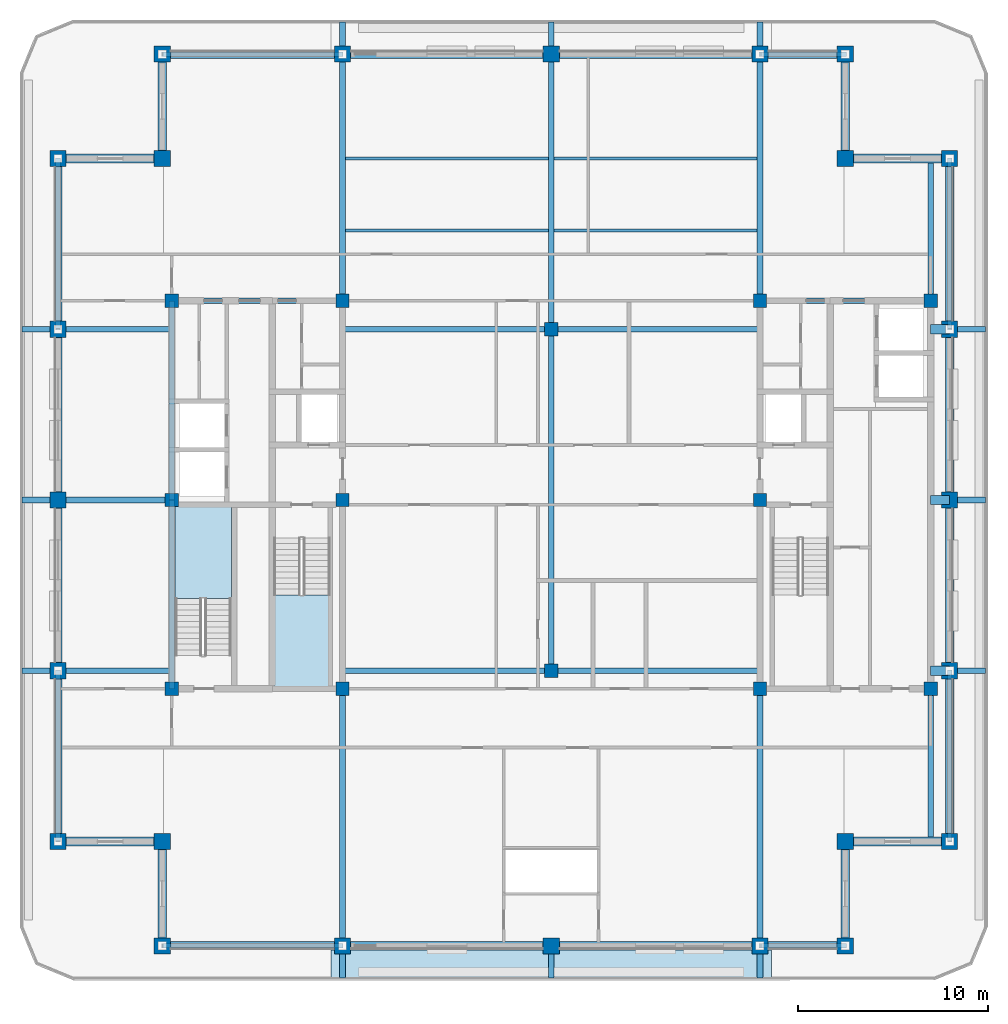
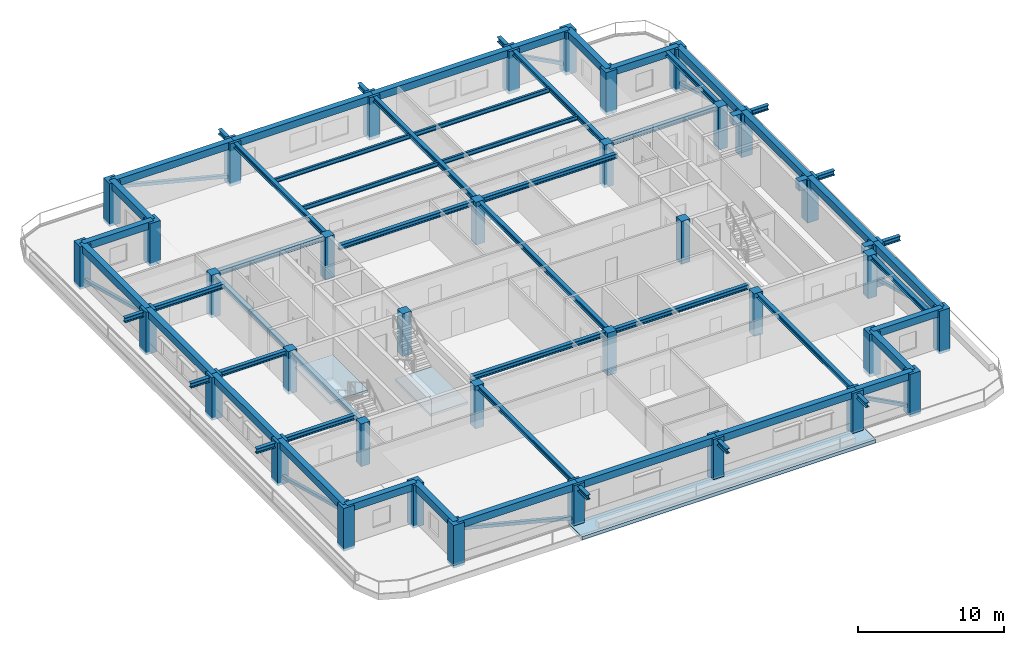
# One storey, part 1 of 11: 62 beams, 37 columns, 8 members, 3 slabs, 2 elements without a shape of their own.
"""IFC4 building model written with IfcOpenShell, lengths in metres."""

from ifc_helpers import new_model, si_unit, direction, frame, origin, origin_2d, place, context, subcontext, project, spatial, polyline, rectangle, hollow_rectangle, i_section, outline, extrude, material, layer, layer_set, material_profile, profile_set, type_object, element, aggregate, save


model = new_model("IFC4")

# Units and contexts
model_context = context("Model", 3, precision=1e-05, world=origin(), true_north=direction((0.0, 1.0)))
body_context = subcontext(model_context, "Body", "Model", "MODEL_VIEW")
ifc_project = project(units=[si_unit("LENGTHUNIT", "METRE"), si_unit("AREAUNIT", "SQUARE_METRE"), si_unit("VOLUMEUNIT", "CUBIC_METRE"), si_unit("PLANEANGLEUNIT", "RADIAN"), si_unit("MASSUNIT", "GRAM", prefix="KILO")], contexts=[model_context])

# Site, building, storey
site_placement = place(None, origin())
site = spatial("IfcSite", under=ifc_project, at=site_placement, CompositionType="ELEMENT")
building_placement = place(site_placement, origin())
building = spatial("IfcBuilding", under=site, at=building_placement, Name="Zulmaris Gate Convention Tower", CompositionType="ELEMENT")
storey_placement = place(building_placement, frame((0.0, 0.0, 274.320068359375)))
storey = spatial("IfcBuildingStorey", under=building, at=storey_placement, Name="L73", CompositionType="ELEMENT", Elevation=274.320068359375)

# Columns
ifc_material_1 = material(Name="Concrete C50/60", Category="concrete")
ifc_material_profile_1 = material_profile(ifc_material_1, rectangle(XDim=0.699951171875, YDim=0.699951171875, at=origin_2d()), Name="RC COL 700x700")
ifc_profile_set_1 = profile_set([ifc_material_profile_1], Name="Concrete C50/60")
column_type_1 = type_object("IfcColumnType", Name="COL-RC700", PredefinedType="COLUMN", material=ifc_profile_set_1)
for number, where, z_axis, x_axis, name in (
    (1, (-20.0, -9.949951171875, -0.25), (0.0, 0.0, 1.0), (1.0, 0.0, 0.0), "L73 Column IN--20.00_-9.95"),
    (2, (-20.0, 10.5, -0.25), (0.0, 0.0, 1.0), (1.0, 0.0, 0.0), "L73 Column IN--20.00_+10.50"),
    (3, (-11.0, -9.949951171875, -0.25), (0.0, 0.0, 1.0), (1.0, 0.0, 0.0), "L73 Column IN--11.00_-9.95"),
    (4, (-11.0, 0.0, -0.25), (0.0, 0.0, 1.0), (1.0, 0.0, 0.0), "L73 Column IN--11.00_+0.00"),
    (5, (-11.0, 10.5, -0.25), (0.0, 0.0, 1.0), (1.0, 0.0, 0.0), "L73 Column IN--11.00_+10.50"),
    (6, (11.0, -9.949951171875, -0.25), (0.0, 0.0, 1.0), (1.0, 0.0, 0.0), "L73 Column IN-+11.00_-9.95"),
    (7, (11.0, 0.0, -0.25), (0.0, 0.0, 1.0), (1.0, 0.0, 0.0), "L73 Column IN-+11.00_+0.00"),
    (8, (11.0, 10.5, -0.25), (0.0, 0.0, 1.0), (1.0, 0.0, 0.0), "L73 Column IN-+11.00_+10.50"),
    (9, (20.0, -9.949951171875, -0.25), (0.0, 0.0, 1.0), (1.0, 0.0, 0.0), "L73 Column IN-+20.00_-9.95"),
    (10, (20.0, 10.5, -0.25), (0.0, 0.0, 1.0), (1.0, 0.0, 0.0), "L73 Column IN-+20.00_+10.50"),
    (11, (0.0, -9.0, -0.25), (0.0, 0.0, 1.0), (1.0, 0.0, 0.0), "L73 Column IN-+0.00_-9.00"),
    (12, (0.0, 9.0, -0.25), (0.0, 0.0, 1.0), (1.0, 0.0, 0.0), "L73 Column IN-+0.00_+9.00"),
    (13, (-20.0, 0.0, -0.25), (0.0, 0.0, 1.0), (1.0, 0.0, 0.0), "L73 Column IN--20.00_+0.00"),
):
    element("IfcColumn", number, at=place(storey_placement, frame(where, z_axis=z_axis, x_axis=x_axis)), inside=storey, type_object=column_type_1, Name=name, PredefinedType="COLUMN", context=body_context, shape_type="SweptSolid", body=[
        extrude(rectangle(XDim=0.699951171875, YDim=0.699951171875, at=origin_2d()), origin(), (0.0, 0.0, 1.0), 3.56494140625),
    ])
ifc_material_2 = material(Name="Concrete C60/75", Category="concrete")
ifc_material_profile_2 = material_profile(ifc_material_2, rectangle(XDim=0.85009765625, YDim=0.85009765625, at=origin_2d()), Name="RC COL 850x850")
ifc_profile_set_2 = profile_set([ifc_material_profile_2], Name="Concrete C60/75")
column_type_2 = type_object("IfcColumnType", Name="COL-RC850", PredefinedType="COLUMN", material=ifc_profile_set_2)
for number, where, z_axis, x_axis, name in (
    (14, (-20.5, -23.5, -0.25), (0.0, 0.0, 1.0), (1.0, 0.0, 0.0), "L73 Column PT--20.50_-23.50"),
    (15, (-11.0, -23.5, -0.25), (0.0, 0.0, 1.0), (1.0, 0.0, 0.0), "L73 Column PT--11.00_-23.50"),
    (16, (0.0, -23.5, -0.25), (0.0, 0.0, 1.0), (1.0, 0.0, 0.0), "L73 Column PT-+0.00_-23.50"),
    (17, (11.0, -23.5, -0.25), (0.0, 0.0, 1.0), (1.0, 0.0, 0.0), "L73 Column PT-+11.00_-23.50"),
    (18, (15.5, -23.5, -0.25), (0.0, 0.0, 1.0), (1.0, 0.0, 0.0), "L73 Column PT-+15.50_-23.50"),
    (19, (-20.5, 23.5, -0.25), (0.0, 0.0, 1.0), (1.0, 0.0, 0.0), "L73 Column PT--20.50_+23.50"),
    (20, (-11.0, 23.5, -0.25), (0.0, 0.0, 1.0), (1.0, 0.0, 0.0), "L73 Column PT--11.00_+23.50"),
    (21, (0.0, 23.5, -0.25), (0.0, 0.0, 1.0), (1.0, 0.0, 0.0), "L73 Column PT-+0.00_+23.50"),
    (22, (11.0, 23.5, -0.25), (0.0, 0.0, 1.0), (1.0, 0.0, 0.0), "L73 Column PT-+11.00_+23.50"),
    (23, (15.5, 23.5, -0.25), (0.0, 0.0, 1.0), (1.0, 0.0, 0.0), "L73 Column PT-+15.50_+23.50"),
    (24, (-26.0, -18.0, -0.25), (0.0, 0.0, 1.0), (1.0, 0.0, 0.0), "L73 Column PT--26.00_-18.00"),
    (25, (-26.0, -9.0, -0.25), (0.0, 0.0, 1.0), (1.0, 0.0, 0.0), "L73 Column PT--26.00_-9.00"),
    (26, (-26.0, 0.0, -0.25), (0.0, 0.0, 1.0), (1.0, 0.0, 0.0), "L73 Column PT--26.00_+0.00"),
    (27, (-26.0, 9.0, -0.25), (0.0, 0.0, 1.0), (1.0, 0.0, 0.0), "L73 Column PT--26.00_+9.00"),
    (28, (-26.0, 18.0, -0.25), (0.0, 0.0, 1.0), (1.0, 0.0, 0.0), "L73 Column PT--26.00_+18.00"),
    (29, (21.0, -18.0, -0.25), (0.0, 0.0, 1.0), (1.0, 0.0, 0.0), "L73 Column PT-+21.00_-18.00"),
    (30, (21.0, -9.0, -0.25), (0.0, 0.0, 1.0), (1.0, 0.0, 0.0), "L73 Column PT-+21.00_-9.00"),
    (31, (21.0, 0.0, -0.25), (0.0, 0.0, 1.0), (1.0, 0.0, 0.0), "L73 Column PT-+21.00_+0.00"),
    (32, (21.0, 9.0, -0.25), (0.0, 0.0, 1.0), (1.0, 0.0, 0.0), "L73 Column PT-+21.00_+9.00"),
    (33, (21.0, 18.0, -0.25), (0.0, 0.0, 1.0), (1.0, 0.0, 0.0), "L73 Column PT-+21.00_+18.00"),
    (34, (-20.5, -18.0, -0.25), (0.0, 0.0, 1.0), (1.0, 0.0, 0.0), "L73 Column PT--20.50_-18.00"),
    (35, (15.5, -18.0, -0.25), (0.0, 0.0, 1.0), (1.0, 0.0, 0.0), "L73 Column PT-+15.50_-18.00"),
    (36, (15.5, 18.0, -0.25), (0.0, 0.0, 1.0), (1.0, 0.0, 0.0), "L73 Column PT-+15.50_+18.00"),
    (37, (-20.5, 18.0, -0.25), (0.0, 0.0, 1.0), (1.0, 0.0, 0.0), "L73 Column PT--20.50_+18.00"),
):
    element("IfcColumn", number, at=place(storey_placement, frame(where, z_axis=z_axis, x_axis=x_axis)), inside=storey, type_object=column_type_2, Name=name, PredefinedType="COLUMN", context=body_context, shape_type="SweptSolid", body=[
        extrude(rectangle(XDim=0.85009765625, YDim=0.85009765625, at=origin_2d()), origin(), (0.0, 0.0, 1.0), 3.56494140625),
    ])

# Beams
ifc_material_3 = material(Name="Steel S355", Category="steel")
ifc_material_profile_3 = material_profile(ifc_material_3, i_section(OverallWidth=0.300048828125, OverallDepth=0.39990234375, WebThickness=0.013427734375, FlangeThickness=0.02392578125, FilletRadius=0.027099609375, at=origin_2d()), Name="HEB 400")
ifc_profile_set_3 = profile_set([ifc_material_profile_3], Name="Steel S355")
beam_type_1 = type_object("IfcBeamType", Name="BM-HEB400", PredefinedType="BEAM", material=ifc_profile_set_3)
for number, where, z_axis, x_axis, name in (
    (38, (-11.0, -25.199951171875, 2.97509765625), (0.0, 1.0, 0.0), (-1.0, 0.0, 0.0), "L73 Beam TBRK-L73-S--11"),
    (39, (-11.0, 23.5, 2.97509765625), (0.0, 1.0, 0.0), (-1.0, 0.0, 0.0), "L73 Beam TBRK-L73-N--11"),
    (40, (0.0, -25.199951171875, 2.97509765625), (0.0, 1.0, 0.0), (-1.0, 0.0, 0.0), "L73 Beam TBRK-L73-S-+0"),
    (41, (0.0, 23.5, 2.97509765625), (0.0, 1.0, 0.0), (-1.0, 0.0, 0.0), "L73 Beam TBRK-L73-N-+0"),
    (42, (11.0, -25.199951171875, 2.97509765625), (0.0, 1.0, 0.0), (-1.0, 0.0, 0.0), "L73 Beam TBRK-L73-S-+11"),
    (43, (11.0, 23.5, 2.97509765625), (0.0, 1.0, 0.0), (-1.0, 0.0, 0.0), "L73 Beam TBRK-L73-N-+11"),
):
    element("IfcBeam", number, at=place(storey_placement, frame(where, z_axis=z_axis, x_axis=x_axis)), inside=storey, type_object=beam_type_1, Name=name, PredefinedType="BEAM", context=body_context, shape_type="SweptSolid", body=[
        extrude(i_section(OverallWidth=0.300048828125, OverallDepth=0.39990234375, WebThickness=0.013427734375, FlangeThickness=0.02392578125, FilletRadius=0.027099609375, at=origin_2d()), origin(), (0.0, 0.0, 1.0), 1.699951171875),
    ])
for number, where, z_axis, x_axis, name in (
    (44, (-27.89990234375, -9.0, 2.97509765625), (1.0, 0.0, 0.0), (0.0, 1.0, 0.0), "L73 Beam TBRK-L73-W--9"),
    (45, (21.0, -9.0, 2.97509765625), (1.0, 0.0, 0.0), (0.0, 1.0, 0.0), "L73 Beam TBRK-L73-E--9"),
    (46, (-27.89990234375, 0.0, 2.97509765625), (1.0, 0.0, 0.0), (0.0, 1.0, 0.0), "L73 Beam TBRK-L73-W-+0"),
    (47, (21.0, 0.0, 2.97509765625), (1.0, 0.0, 0.0), (0.0, 1.0, 0.0), "L73 Beam TBRK-L73-E-+0"),
    (48, (-27.89990234375, 9.0, 2.97509765625), (1.0, 0.0, 0.0), (0.0, 1.0, 0.0), "L73 Beam TBRK-L73-W-+9"),
    (49, (21.0, 9.0, 2.97509765625), (1.0, 0.0, 0.0), (0.0, 1.0, 0.0), "L73 Beam TBRK-L73-E-+9"),
):
    element("IfcBeam", number, at=place(storey_placement, frame(where, z_axis=z_axis, x_axis=x_axis)), inside=storey, type_object=beam_type_1, Name=name, PredefinedType="BEAM", context=body_context, shape_type="SweptSolid", body=[
        extrude(i_section(OverallWidth=0.300048828125, OverallDepth=0.39990234375, WebThickness=0.013427734375, FlangeThickness=0.02392578125, FilletRadius=0.027099609375, at=origin_2d()), origin(), (0.0, 0.0, 1.0), 1.89990234375),
    ])
for number, where, z_axis, x_axis, name in (
    (50, (-11.0, -9.0, 3.113037109375), (1.0, 0.0, 0.0), (0.0, 1.0, 0.0), "L73 Beam BM-L73-G01"),
    (51, (0.0, -9.0, 3.113037109375), (1.0, 0.0, 0.0), (0.0, 1.0, 0.0), "L73 Beam BM-L73-G02"),
    (52, (-11.0, 9.0, 3.113037109375), (1.0, 0.0, 0.0), (0.0, 1.0, 0.0), "L73 Beam BM-L73-G03"),
    (53, (0.0, 9.0, 3.113037109375), (1.0, 0.0, 0.0), (0.0, 1.0, 0.0), "L73 Beam BM-L73-G04"),
):
    element("IfcBeam", number, at=place(storey_placement, frame(where, z_axis=z_axis, x_axis=x_axis)), inside=storey, type_object=beam_type_1, Name=name, PredefinedType="BEAM", context=body_context, shape_type="SweptSolid", body=[
        extrude(i_section(OverallWidth=0.300048828125, OverallDepth=0.39990234375, WebThickness=0.013427734375, FlangeThickness=0.02392578125, FilletRadius=0.027099609375, at=origin_2d()), origin(), (0.0, 0.0, 1.0), 11.0),
    ])
beam_1_placement = place(storey_placement, frame((0.0, -9.0, 3.113037109375), z_axis=(0.0, 1.0, 0.0), x_axis=(-1.0, 0.0, 0.0)))
element("IfcBeam", 54, at=beam_1_placement, inside=storey, type_object=beam_type_1, Name="L73 Beam BM-L73-G06", PredefinedType="BEAM", context=body_context, shape_type="SweptSolid", body=[
    extrude(i_section(OverallWidth=0.300048828125, OverallDepth=0.39990234375, WebThickness=0.013427734375, FlangeThickness=0.02392578125, FilletRadius=0.027099609375, at=origin_2d()), origin(), (0.0, 0.0, 1.0), 18.0),
])
beam_2_placement = place(storey_placement, frame((0.0, 9.0, 3.113037109375), z_axis=(0.0, 1.0, 0.0), x_axis=(-1.0, 0.0, 0.0)))
element("IfcBeam", 55, at=beam_2_placement, inside=storey, type_object=beam_type_1, Name="L73 Beam BM-L73-G07", PredefinedType="BEAM", context=body_context, shape_type="SweptSolid", body=[
    extrude(i_section(OverallWidth=0.300048828125, OverallDepth=0.39990234375, WebThickness=0.013427734375, FlangeThickness=0.02392578125, FilletRadius=0.027099609375, at=origin_2d()), origin(), (0.0, 0.0, 1.0), 14.5),
])
beam_3_placement = place(storey_placement, frame((-11.0, -23.5, 3.113037109375), z_axis=(0.0, 1.0, 0.0), x_axis=(-1.0, 0.0, 0.0)))
element("IfcBeam", 56, at=beam_3_placement, inside=storey, type_object=beam_type_1, Name="L73 Beam BM-L73-G08", PredefinedType="BEAM", context=body_context, shape_type="SweptSolid", body=[
    extrude(i_section(OverallWidth=0.300048828125, OverallDepth=0.39990234375, WebThickness=0.013427734375, FlangeThickness=0.02392578125, FilletRadius=0.027099609375, at=origin_2d()), origin(), (0.0, 0.0, 1.0), 13.550048828125),
])
beam_4_placement = place(storey_placement, frame((-11.0, 10.5, 3.113037109375), z_axis=(0.0, 1.0, 0.0), x_axis=(-1.0, 0.0, 0.0)))
element("IfcBeam", 57, at=beam_4_placement, inside=storey, type_object=beam_type_1, Name="L73 Beam BM-L73-G09", PredefinedType="BEAM", context=body_context, shape_type="SweptSolid", body=[
    extrude(i_section(OverallWidth=0.300048828125, OverallDepth=0.39990234375, WebThickness=0.013427734375, FlangeThickness=0.02392578125, FilletRadius=0.027099609375, at=origin_2d()), origin(), (0.0, 0.0, 1.0), 13.0),
])
beam_5_placement = place(storey_placement, frame((11.0, -23.5, 3.113037109375), z_axis=(0.0, 1.0, 0.0), x_axis=(-1.0, 0.0, 0.0)))
element("IfcBeam", 58, at=beam_5_placement, inside=storey, type_object=beam_type_1, Name="L73 Beam BM-L73-G10", PredefinedType="BEAM", context=body_context, shape_type="SweptSolid", body=[
    extrude(i_section(OverallWidth=0.300048828125, OverallDepth=0.39990234375, WebThickness=0.013427734375, FlangeThickness=0.02392578125, FilletRadius=0.027099609375, at=origin_2d()), origin(), (0.0, 0.0, 1.0), 13.550048828125),
])
beam_6_placement = place(storey_placement, frame((11.0, 10.5, 3.113037109375), z_axis=(0.0, 1.0, 0.0), x_axis=(-1.0, 0.0, 0.0)))
element("IfcBeam", 59, at=beam_6_placement, inside=storey, type_object=beam_type_1, Name="L73 Beam BM-L73-G11", PredefinedType="BEAM", context=body_context, shape_type="SweptSolid", body=[
    extrude(i_section(OverallWidth=0.300048828125, OverallDepth=0.39990234375, WebThickness=0.013427734375, FlangeThickness=0.02392578125, FilletRadius=0.027099609375, at=origin_2d()), origin(), (0.0, 0.0, 1.0), 13.0),
])
beam_7_placement = place(storey_placement, frame((20.0, -18.0, 3.113037109375), z_axis=(0.0, 1.0, 0.0), x_axis=(-1.0, 0.0, 0.0)))
element("IfcBeam", 60, at=beam_7_placement, inside=storey, type_object=beam_type_1, Name="L73 Beam BM-L73-G14", PredefinedType="BEAM", context=body_context, shape_type="SweptSolid", body=[
    extrude(i_section(OverallWidth=0.300048828125, OverallDepth=0.39990234375, WebThickness=0.013427734375, FlangeThickness=0.02392578125, FilletRadius=0.027099609375, at=origin_2d()), origin(), (0.0, 0.0, 1.0), 8.050048828125),
])
beam_8_placement = place(storey_placement, frame((20.0, 10.5, 3.113037109375), z_axis=(0.0, 1.0, 0.0), x_axis=(-1.0, 0.0, 0.0)))
element("IfcBeam", 61, at=beam_8_placement, inside=storey, type_object=beam_type_1, Name="L73 Beam BM-L73-G15", PredefinedType="BEAM", context=body_context, shape_type="SweptSolid", body=[
    extrude(i_section(OverallWidth=0.300048828125, OverallDepth=0.39990234375, WebThickness=0.013427734375, FlangeThickness=0.02392578125, FilletRadius=0.027099609375, at=origin_2d()), origin(), (0.0, 0.0, 1.0), 7.5),
])
for number, where, z_axis, x_axis, name in (
    (62, (-26.0, -9.0, 3.113037109375), (1.0, 0.0, 0.0), (0.0, 1.0, 0.0), "L73 Beam BM-L73-G16"),
    (63, (-26.0, 0.0, 3.113037109375), (1.0, 0.0, 0.0), (0.0, 1.0, 0.0), "L73 Beam BM-L73-G17"),
    (64, (-26.0, 9.0, 3.113037109375), (1.0, 0.0, 0.0), (0.0, 1.0, 0.0), "L73 Beam BM-L73-G18"),
):
    element("IfcBeam", number, at=place(storey_placement, frame(where, z_axis=z_axis, x_axis=x_axis)), inside=storey, type_object=beam_type_1, Name=name, PredefinedType="BEAM", context=body_context, shape_type="SweptSolid", body=[
        extrude(i_section(OverallWidth=0.300048828125, OverallDepth=0.39990234375, WebThickness=0.013427734375, FlangeThickness=0.02392578125, FilletRadius=0.027099609375, at=origin_2d()), origin(), (0.0, 0.0, 1.0), 6.0),
    ])
for number, where, z_axis, x_axis, name in (
    (65, (-20.0, 10.5, 3.113037109375), (1.0, 0.0, 0.0), (0.0, 1.0, 0.0), "L73 Beam BM-L73-G23"),
    (66, (11.0, 10.5, 3.113037109375), (1.0, 0.0, 0.0), (0.0, 1.0, 0.0), "L73 Beam BM-L73-G25"),
):
    element("IfcBeam", number, at=place(storey_placement, frame(where, z_axis=z_axis, x_axis=x_axis)), inside=storey, type_object=beam_type_1, Name=name, PredefinedType="BEAM", context=body_context, shape_type="SweptSolid", body=[
        extrude(i_section(OverallWidth=0.300048828125, OverallDepth=0.39990234375, WebThickness=0.013427734375, FlangeThickness=0.02392578125, FilletRadius=0.027099609375, at=origin_2d()), origin(), (0.0, 0.0, 1.0), 9.0),
    ])
beam_9_placement = place(storey_placement, frame((-20.0, -9.949951171875, 3.113037109375), z_axis=(0.0, 1.0, 0.0), x_axis=(-1.0, 0.0, 0.0)))
element("IfcBeam", 67, at=beam_9_placement, inside=storey, type_object=beam_type_1, Name="L73 Beam BM-L73-G26", PredefinedType="BEAM", context=body_context, shape_type="SweptSolid", body=[
    extrude(i_section(OverallWidth=0.300048828125, OverallDepth=0.39990234375, WebThickness=0.013427734375, FlangeThickness=0.02392578125, FilletRadius=0.027099609375, at=origin_2d()), origin(), (0.0, 0.0, 1.0), 9.949951171875),
])
beam_10_placement = place(storey_placement, frame((-20.0, 0.0, 3.113037109375), z_axis=(0.0, 1.0, 0.0), x_axis=(-1.0, 0.0, 0.0)))
element("IfcBeam", 68, at=beam_10_placement, inside=storey, type_object=beam_type_1, Name="L73 Beam BM-L73-G27", PredefinedType="BEAM", context=body_context, shape_type="SweptSolid", body=[
    extrude(i_section(OverallWidth=0.300048828125, OverallDepth=0.39990234375, WebThickness=0.013427734375, FlangeThickness=0.02392578125, FilletRadius=0.027099609375, at=origin_2d()), origin(), (0.0, 0.0, 1.0), 10.5),
])
ifc_material_profile_4 = material_profile(ifc_material_1, rectangle(XDim=0.5, YDim=0.800048828125, at=origin_2d()), Name="RC BEAM 500x800")
ifc_profile_set_4 = profile_set([ifc_material_profile_4], Name="Concrete C50/60")
beam_type_2 = type_object("IfcBeamType", Name="BM-RC500x800", PredefinedType="BEAM", material=ifc_profile_set_4)
for number, where, z_axis, x_axis, name in (
    (69, (20.0, -9.0, 2.9150390625), (1.0, 0.0, 0.0), (0.0, 1.0, 0.0), "L73 Beam BM-L73-G19"),
    (70, (20.0, 0.0, 2.9150390625), (1.0, 0.0, 0.0), (0.0, 1.0, 0.0), "L73 Beam BM-L73-G20"),
    (71, (20.0, 9.0, 2.9150390625), (1.0, 0.0, 0.0), (0.0, 1.0, 0.0), "L73 Beam BM-L73-G21"),
):
    element("IfcBeam", number, at=place(storey_placement, frame(where, z_axis=z_axis, x_axis=x_axis)), inside=storey, type_object=beam_type_2, Name=name, PredefinedType="BEAM", context=body_context, shape_type="SweptSolid", body=[
        extrude(rectangle(XDim=0.5, YDim=0.800048828125, at=origin_2d()), origin(), (0.0, 0.0, 1.0), 1.0),
    ])
ifc_material_4 = material(Name="Precast concrete C50/60", Category="concrete")
ifc_material_profile_5 = material_profile(ifc_material_4, rectangle(XDim=0.449951171875, YDim=0.60009765625, at=origin_2d()), Name="RC SPANDREL 450x600")
ifc_profile_set_5 = profile_set([ifc_material_profile_5], Name="Precast concrete C50/60")
beam_type_3 = type_object("IfcBeamType", Name="BM-SP450x600", PredefinedType="SPANDREL", material=ifc_profile_set_5)
beam_11_placement = place(storey_placement, frame((-20.5, -23.5, 3.01513671875), z_axis=(1.0, 0.0, 0.0), x_axis=(0.0, 1.0, 0.0)))
element("IfcBeam", 72, at=beam_11_placement, inside=storey, type_object=beam_type_3, Name="L73 Spandrel SP-L73-01", PredefinedType="SPANDREL", context=body_context, shape_type="SweptSolid", body=[
    extrude(rectangle(XDim=0.449951171875, YDim=0.60009765625, at=origin_2d()), origin(), (0.0, 0.0, 1.0), 9.5),
])
for number, where, z_axis, x_axis, name in (
    (73, (-11.0, -23.5, 3.01513671875), (1.0, 0.0, 0.0), (0.0, 1.0, 0.0), "L73 Spandrel SP-L73-02"),
    (74, (0.0, -23.5, 3.01513671875), (1.0, 0.0, 0.0), (0.0, 1.0, 0.0), "L73 Spandrel SP-L73-03"),
):
    element("IfcBeam", number, at=place(storey_placement, frame(where, z_axis=z_axis, x_axis=x_axis)), inside=storey, type_object=beam_type_3, Name=name, PredefinedType="SPANDREL", context=body_context, shape_type="SweptSolid", body=[
        extrude(rectangle(XDim=0.449951171875, YDim=0.60009765625, at=origin_2d()), origin(), (0.0, 0.0, 1.0), 11.0),
    ])
beam_12_placement = place(storey_placement, frame((11.0, -23.5, 3.01513671875), z_axis=(1.0, 0.0, 0.0), x_axis=(0.0, 1.0, 0.0)))
element("IfcBeam", 75, at=beam_12_placement, inside=storey, type_object=beam_type_3, Name="L73 Spandrel SP-L73-04", PredefinedType="SPANDREL", context=body_context, shape_type="SweptSolid", body=[
    extrude(rectangle(XDim=0.449951171875, YDim=0.60009765625, at=origin_2d()), origin(), (0.0, 0.0, 1.0), 4.5),
])
for number, where, z_axis, x_axis, name in (
    (76, (15.5, -23.5, 3.01513671875), (0.0, 1.0, 0.0), (-1.0, 0.0, 0.0), "L73 Spandrel SP-L73-05"),
    (77, (15.5, -18.0, 3.01513671875), (1.0, 0.0, 0.0), (0.0, 1.0, 0.0), "L73 Spandrel SP-L73-06"),
):
    element("IfcBeam", number, at=place(storey_placement, frame(where, z_axis=z_axis, x_axis=x_axis)), inside=storey, type_object=beam_type_3, Name=name, PredefinedType="SPANDREL", context=body_context, shape_type="SweptSolid", body=[
        extrude(rectangle(XDim=0.449951171875, YDim=0.60009765625, at=origin_2d()), origin(), (0.0, 0.0, 1.0), 5.5),
    ])
for number, where, z_axis, x_axis, name in (
    (78, (21.0, -18.0, 3.01513671875), (0.0, 1.0, 0.0), (-1.0, 0.0, 0.0), "L73 Spandrel SP-L73-07"),
    (79, (21.0, -9.0, 3.01513671875), (0.0, 1.0, 0.0), (-1.0, 0.0, 0.0), "L73 Spandrel SP-L73-08"),
    (80, (21.0, 0.0, 3.01513671875), (0.0, 1.0, 0.0), (-1.0, 0.0, 0.0), "L73 Spandrel SP-L73-09"),
    (81, (21.0, 9.0, 3.01513671875), (0.0, 1.0, 0.0), (-1.0, 0.0, 0.0), "L73 Spandrel SP-L73-10"),
):
    element("IfcBeam", number, at=place(storey_placement, frame(where, z_axis=z_axis, x_axis=x_axis)), inside=storey, type_object=beam_type_3, Name=name, PredefinedType="SPANDREL", context=body_context, shape_type="SweptSolid", body=[
        extrude(rectangle(XDim=0.449951171875, YDim=0.60009765625, at=origin_2d()), origin(), (0.0, 0.0, 1.0), 9.0),
    ])
for number, where, z_axis, x_axis, name in (
    (82, (21.0, 18.0, 3.01513671875), (-1.0, 0.0, 0.0), (0.0, -1.0, 0.0), "L73 Spandrel SP-L73-11"),
    (83, (15.5, 18.0, 3.01513671875), (0.0, 1.0, 0.0), (-1.0, 0.0, 0.0), "L73 Spandrel SP-L73-12"),
):
    element("IfcBeam", number, at=place(storey_placement, frame(where, z_axis=z_axis, x_axis=x_axis)), inside=storey, type_object=beam_type_3, Name=name, PredefinedType="SPANDREL", context=body_context, shape_type="SweptSolid", body=[
        extrude(rectangle(XDim=0.449951171875, YDim=0.60009765625, at=origin_2d()), origin(), (0.0, 0.0, 1.0), 5.5),
    ])
beam_13_placement = place(storey_placement, frame((15.5, 23.5, 3.01513671875), z_axis=(-1.0, 0.0, 0.0), x_axis=(0.0, -1.0, 0.0)))
element("IfcBeam", 84, at=beam_13_placement, inside=storey, type_object=beam_type_3, Name="L73 Spandrel SP-L73-13", PredefinedType="SPANDREL", context=body_context, shape_type="SweptSolid", body=[
    extrude(rectangle(XDim=0.449951171875, YDim=0.60009765625, at=origin_2d()), origin(), (0.0, 0.0, 1.0), 4.5),
])
for number, where, z_axis, x_axis, name in (
    (85, (11.0, 23.5, 3.01513671875), (-1.0, 0.0, 0.0), (0.0, -1.0, 0.0), "L73 Spandrel SP-L73-14"),
    (86, (0.0, 23.5, 3.01513671875), (-1.0, 0.0, 0.0), (0.0, -1.0, 0.0), "L73 Spandrel SP-L73-15"),
):
    element("IfcBeam", number, at=place(storey_placement, frame(where, z_axis=z_axis, x_axis=x_axis)), inside=storey, type_object=beam_type_3, Name=name, PredefinedType="SPANDREL", context=body_context, shape_type="SweptSolid", body=[
        extrude(rectangle(XDim=0.449951171875, YDim=0.60009765625, at=origin_2d()), origin(), (0.0, 0.0, 1.0), 11.0),
    ])
beam_14_placement = place(storey_placement, frame((-11.0, 23.5, 3.01513671875), z_axis=(-1.0, 0.0, 0.0), x_axis=(0.0, -1.0, 0.0)))
element("IfcBeam", 87, at=beam_14_placement, inside=storey, type_object=beam_type_3, Name="L73 Spandrel SP-L73-16", PredefinedType="SPANDREL", context=body_context, shape_type="SweptSolid", body=[
    extrude(rectangle(XDim=0.449951171875, YDim=0.60009765625, at=origin_2d()), origin(), (0.0, 0.0, 1.0), 9.5),
])
for number, where, z_axis, x_axis, name in (
    (88, (-20.5, 23.5, 3.01513671875), (0.0, -1.0, 0.0), (1.0, 0.0, 0.0), "L73 Spandrel SP-L73-17"),
    (89, (-20.5, 18.0, 3.01513671875), (-1.0, 0.0, 0.0), (0.0, -1.0, 0.0), "L73 Spandrel SP-L73-18"),
):
    element("IfcBeam", number, at=place(storey_placement, frame(where, z_axis=z_axis, x_axis=x_axis)), inside=storey, type_object=beam_type_3, Name=name, PredefinedType="SPANDREL", context=body_context, shape_type="SweptSolid", body=[
        extrude(rectangle(XDim=0.449951171875, YDim=0.60009765625, at=origin_2d()), origin(), (0.0, 0.0, 1.0), 5.5),
    ])
for number, where, z_axis, x_axis, name in (
    (90, (-26.0, 18.0, 3.01513671875), (0.0, -1.0, 0.0), (1.0, 0.0, 0.0), "L73 Spandrel SP-L73-19"),
    (91, (-26.0, 9.0, 3.01513671875), (0.0, -1.0, 0.0), (1.0, 0.0, 0.0), "L73 Spandrel SP-L73-20"),
    (92, (-26.0, 0.0, 3.01513671875), (0.0, -1.0, 0.0), (1.0, 0.0, 0.0), "L73 Spandrel SP-L73-21"),
    (93, (-26.0, -9.0, 3.01513671875), (0.0, -1.0, 0.0), (1.0, 0.0, 0.0), "L73 Spandrel SP-L73-22"),
):
    element("IfcBeam", number, at=place(storey_placement, frame(where, z_axis=z_axis, x_axis=x_axis)), inside=storey, type_object=beam_type_3, Name=name, PredefinedType="SPANDREL", context=body_context, shape_type="SweptSolid", body=[
        extrude(rectangle(XDim=0.449951171875, YDim=0.60009765625, at=origin_2d()), origin(), (0.0, 0.0, 1.0), 9.0),
    ])
for number, where, z_axis, x_axis, name in (
    (94, (-26.0, -18.0, 3.01513671875), (1.0, 0.0, 0.0), (0.0, 1.0, 0.0), "L73 Spandrel SP-L73-23"),
    (95, (-20.5, -18.0, 3.01513671875), (0.0, -1.0, 0.0), (1.0, 0.0, 0.0), "L73 Spandrel SP-L73-24"),
):
    element("IfcBeam", number, at=place(storey_placement, frame(where, z_axis=z_axis, x_axis=x_axis)), inside=storey, type_object=beam_type_3, Name=name, PredefinedType="SPANDREL", context=body_context, shape_type="SweptSolid", body=[
        extrude(rectangle(XDim=0.449951171875, YDim=0.60009765625, at=origin_2d()), origin(), (0.0, 0.0, 1.0), 5.5),
    ])

# Members
ifc_material_profile_6 = material_profile(ifc_material_3, hollow_rectangle(XDim=0.25, YDim=0.25, WallThickness=0.012451171875, at=origin_2d()), Name="SHS 250x250x12.5")
ifc_profile_set_6 = profile_set([ifc_material_profile_6], Name="Steel S355")
member_type = type_object("IfcMemberType", Name="BR-SHS250", PredefinedType="BRACE", material=ifc_profile_set_6)
for number, where, z_axis, x_axis, name in (
    (96, (-26.0, -9.0, 0.300048828125), (0.0, -0.966367949348, 0.257163345896), (1.0, 0.0, 0.0), "L73 Perimeter Tube Diagonal SW-W"),
    (97, (-26.0, 18.0, 0.300048828125), (0.0, -0.966367949348, 0.257163345896), (1.0, 0.0, 0.0), "L73 Perimeter Tube Diagonal NW-W"),
    (98, (21.0, -9.0, 0.300048828125), (0.0, -0.966367949348, 0.257163345896), (1.0, 0.0, 0.0), "L73 Perimeter Tube Diagonal SE-E"),
    (99, (21.0, 18.0, 0.300048828125), (0.0, -0.966367949348, 0.257163345896), (1.0, 0.0, 0.0), "L73 Perimeter Tube Diagonal NE-E"),
):
    element("IfcMember", number, at=place(storey_placement, frame(where, z_axis=z_axis, x_axis=x_axis)), inside=storey, type_object=member_type, Name=name, PredefinedType="BRACE", context=body_context, shape_type="SweptSolid", body=[
        extrude(hollow_rectangle(XDim=0.25, YDim=0.25, WallThickness=0.012451171875, at=origin_2d()), origin(), (0.0, 0.0, 1.0), 9.313232421875),
    ])
member_1_placement = place(storey_placement, frame((-11.0, -23.5, 0.300048828125), z_axis=(-0.969659798006, 0.0, 0.244458332094), x_axis=(0.0, -1.0, 0.0)))
element("IfcMember", 100, at=member_1_placement, inside=storey, type_object=member_type, Name="L73 Perimeter Tube Diagonal SW-S", PredefinedType="BRACE", context=body_context, shape_type="SweptSolid", body=[
    extrude(hollow_rectangle(XDim=0.25, YDim=0.25, WallThickness=0.012451171875, at=origin_2d()), origin(), (0.0, 0.0, 1.0), 9.79736328125),
])
member_2_placement = place(storey_placement, frame((15.5, -23.5, 0.300048828125), z_axis=(-0.882758292673, 0.0, 0.469827411628), x_axis=(0.0, -1.0, 0.0)))
element("IfcMember", 101, at=member_2_placement, inside=storey, type_object=member_type, Name="L73 Perimeter Tube Diagonal SE-S", PredefinedType="BRACE", context=body_context, shape_type="SweptSolid", body=[
    extrude(hollow_rectangle(XDim=0.25, YDim=0.25, WallThickness=0.012451171875, at=origin_2d()), origin(), (0.0, 0.0, 1.0), 5.09765625),
])
member_3_placement = place(storey_placement, frame((-11.0, 23.5, 0.300048828125), z_axis=(-0.969659798006, 0.0, 0.244458332094), x_axis=(0.0, -1.0, 0.0)))
element("IfcMember", 102, at=member_3_placement, inside=storey, type_object=member_type, Name="L73 Perimeter Tube Diagonal NW-N", PredefinedType="BRACE", context=body_context, shape_type="SweptSolid", body=[
    extrude(hollow_rectangle(XDim=0.25, YDim=0.25, WallThickness=0.012451171875, at=origin_2d()), origin(), (0.0, 0.0, 1.0), 9.79736328125),
])
member_4_placement = place(storey_placement, frame((15.5, 23.5, 0.300048828125), z_axis=(-0.882758292673, 0.0, 0.469827411628), x_axis=(0.0, -1.0, 0.0)))
element("IfcMember", 103, at=member_4_placement, inside=storey, type_object=member_type, Name="L73 Perimeter Tube Diagonal NE-N", PredefinedType="BRACE", context=body_context, shape_type="SweptSolid", body=[
    extrude(hollow_rectangle(XDim=0.25, YDim=0.25, WallThickness=0.012451171875, at=origin_2d()), origin(), (0.0, 0.0, 1.0), 5.09765625),
])

# Beams
ifc_material_profile_7 = material_profile(ifc_material_3, i_section(OverallWidth=0.169921875, OverallDepth=0.360107421875, WebThickness=0.008056640625, FlangeThickness=0.0126953125, FilletRadius=0.01806640625, at=origin_2d()), Name="IPE 360")
ifc_profile_set_7 = profile_set([ifc_material_profile_7], Name="Steel S355")
beam_type_4 = type_object("IfcBeamType", Name="JT-IPE360", PredefinedType="JOIST", material=ifc_profile_set_7)
for number, where, z_axis, x_axis, name in (
    (104, (-10.85009765625, 14.199951171875, 3.133056640625), (1.0, 0.0, 0.0), (0.0, 1.0, 0.0), "L73 Joist JT-L73-CW-+14.2"),
    (105, (0.14990234375, 14.199951171875, 3.133056640625), (1.0, 0.0, 0.0), (0.0, 1.0, 0.0), "L73 Joist JT-L73-CE-+14.2"),
    (106, (-10.85009765625, 18.0, 3.133056640625), (1.0, 0.0, 0.0), (0.0, 1.0, 0.0), "L73 Joist JT-L73-CW-+18.0"),
    (107, (0.14990234375, 18.0, 3.133056640625), (1.0, 0.0, 0.0), (0.0, 1.0, 0.0), "L73 Joist JT-L73-CE-+18.0"),
):
    element("IfcBeam", number, at=place(storey_placement, frame(where, z_axis=z_axis, x_axis=x_axis)), inside=storey, type_object=beam_type_4, Name=name, PredefinedType="JOIST", context=body_context, shape_type="SweptSolid", body=[
        extrude(i_section(OverallWidth=0.169921875, OverallDepth=0.360107421875, WebThickness=0.008056640625, FlangeThickness=0.0126953125, FilletRadius=0.01806640625, at=origin_2d()), origin(), (0.0, 0.0, 1.0), 10.7001953125),
    ])

# Slab
ifc_layer_1 = layer(ifc_material_4, 0.239990234375, Name="Precast concrete C50/60")
ifc_layer_set_1 = layer_set([ifc_layer_1], Name="Precast concrete C50/60")
slab_type_1 = type_object("IfcSlabType", Name="SL-BAL-240", PredefinedType="FLOOR", material=ifc_layer_set_1)
slab_1_placement = place(storey_placement, frame((0.0, 0.0, -0.324951171875)))
element("IfcSlab", 108, at=slab_1_placement, inside=storey, type_object=slab_type_1, Name="L73 South Tree-Balcony Planter Slab", PredefinedType="FLOOR", context=body_context, shape_type="SweptSolid", body=[
    extrude(outline(polyline([(-11.597900390625, -25.300048828125), (-11.597900390625, -23.5), (11.597900390625, -23.5), (11.597900390625, -25.300048828125), (-11.597900390625, -25.300048828125)])), origin(), (0.0, 0.0, 1.0), 0.284912109375),
])

# Stair, slab
ifc_material_5 = material(Name="Concrete C45/55", Category="concrete")
stair_type = type_object("IfcStairType", Name="ST-CORE-DOGLEG", PredefinedType="HALF_TURN_STAIR", material=ifc_material_5)
stair_1_placement = place(storey_placement, origin())
stair_1 = element("IfcStair", 109, at=stair_1_placement, inside=storey, type_object=stair_type, Name="L73 Core Exit Stair ST-1", PredefinedType="HALF_TURN_STAIR")
ifc_layer_2 = layer(ifc_material_5, 0.199951171875, Name="Concrete C45/55")
ifc_layer_set_2 = layer_set([ifc_layer_2], Name="Concrete C45/55")
slab_type_2 = type_object("IfcSlabType", Name="SL-LND-200", PredefinedType="LANDING", material=ifc_layer_set_2)
slab_2_placement = place(storey_placement, frame((0.0, 0.0, 1.669921875)))
slab_2 = element("IfcSlab", 110, at=slab_2_placement, type_object=slab_type_2, Name="ST-1 landing 1", PredefinedType="LANDING", context=body_context, shape_type="SweptSolid", body=[
    extrude(outline(polyline([(-14.6201171875, -5.0), (-14.6201171875, -9.85009765625), (-11.659912109375, -9.85009765625), (-11.659912109375, -5.0), (-14.6201171875, -5.0)])), origin(), (0.0, 0.0, 1.0), 0.2001953125),
])
aggregate(stair_1, [slab_2])

stair_2_placement = place(storey_placement, origin())
stair_2 = element("IfcStair", 111, at=stair_2_placement, inside=storey, type_object=stair_type, Name="L73 Core Exit Stair ST-3", PredefinedType="HALF_TURN_STAIR")
slab_3_placement = place(storey_placement, frame((0.0, 0.0, 1.669921875)))
slab_3 = element("IfcSlab", 112, at=slab_3_placement, type_object=slab_type_2, Name="ST-3 landing 1", PredefinedType="LANDING", context=body_context, shape_type="SweptSolid", body=[
    extrude(outline(polyline([(-16.860107421875, -5.199951171875), (-16.860107421875, -0.35009765625), (-19.820068359375, -0.35009765625), (-19.820068359375, -5.199951171875), (-16.860107421875, -5.199951171875)])), origin(), (0.0, 0.0, 1.0), 0.2001953125),
])
aggregate(stair_2, [slab_3])

save(model, "model.ifc")
